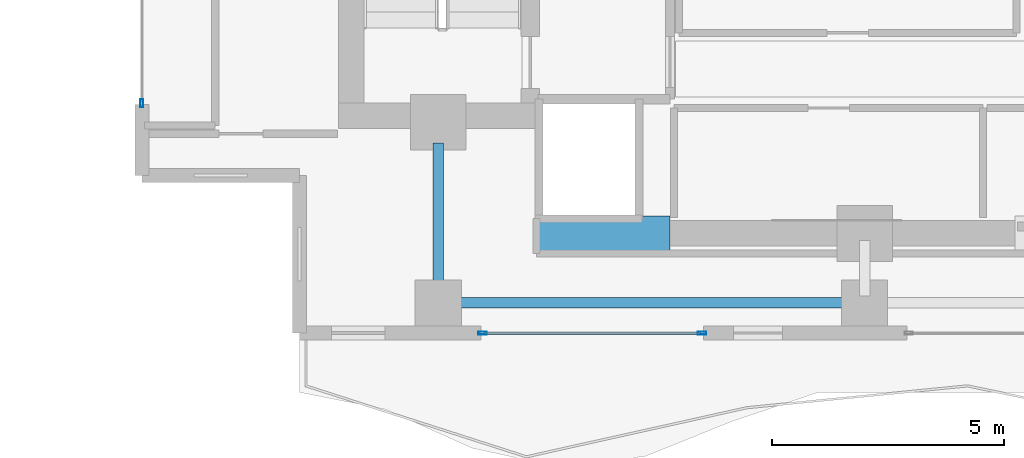
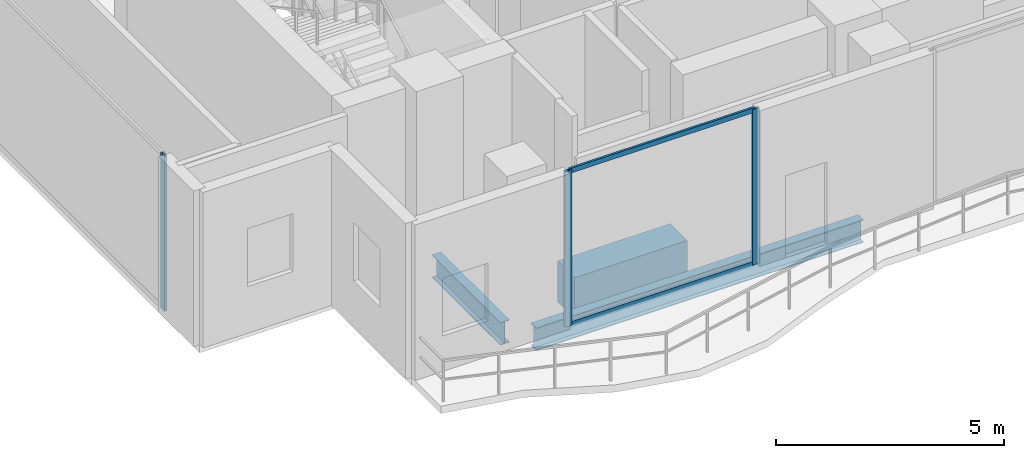
# One storey, part 2 of 24: 5 members, 3 beams, 2 elements without a shape of their own.
"""IFC4 building model written with IfcOpenShell, lengths in metres."""

from ifc_helpers import new_model, si_unit, direction, frame, origin, origin_2d, place, context, subcontext, project, spatial, rectangle, hollow_rectangle, i_section, extrude, material, layer, layer_set, material_profile, profile_set, type_object, element, aggregate, save


model = new_model("IFC4")

# Units and contexts
model_context = context("Model", 3, precision=1e-05, world=origin(), true_north=direction((0.0, 1.0)))
body_context = subcontext(model_context, "Body", "Model", "MODEL_VIEW")
ifc_project = project(units=[si_unit("LENGTHUNIT", "METRE"), si_unit("AREAUNIT", "SQUARE_METRE"), si_unit("VOLUMEUNIT", "CUBIC_METRE"), si_unit("PLANEANGLEUNIT", "RADIAN"), si_unit("MASSUNIT", "GRAM", prefix="KILO")], contexts=[model_context])

# Site, building, storey
site_placement = place(None, origin())
site = spatial("IfcSite", under=ifc_project, at=site_placement, CompositionType="ELEMENT")
building_placement = place(site_placement, origin())
building = spatial("IfcBuilding", under=site, at=building_placement, Name="Zuhayl Quay Hotel", CompositionType="ELEMENT")
storey_placement = place(building_placement, frame((0.0, 0.0, 292.85009765625)))
storey = spatial("IfcBuildingStorey", under=building, at=storey_placement, Name="L74", CompositionType="ELEMENT", Elevation=292.85009765625)

# Beams
ifc_material_1 = material(Name="Steel ASTM A992 Grade 50", Category="steel")
ifc_material_profile_1 = material_profile(ifc_material_1, i_section(OverallWidth=0.22802734375, OverallDepth=0.60693359375, WebThickness=0.01123046875, FlangeThickness=0.017333984375, at=origin_2d()), Name="W24X76")
ifc_profile_set_1 = profile_set([ifc_material_profile_1], Name="Steel ASTM A992 Grade 50")
beam_type_1 = type_object("IfcBeamType", Name="BM_B3_W24X76", PredefinedType="BEAM", material=ifc_profile_set_1)
beam_1_placement = place(storey_placement, frame((-13.340087890625, 0.64990234375, -0.523681640625), z_axis=(1.0, 0.0, 0.0), x_axis=(0.0, 1.0, 0.0)))
element("IfcBeam", 1, at=beam_1_placement, inside=storey, type_object=beam_type_1, Name="L74 Floor Beam RG_L74_01", PredefinedType="BEAM", context=body_context, shape_type="SweptSolid", body=[
    extrude(i_section(OverallWidth=0.22802734375, OverallDepth=0.60693359375, WebThickness=0.01123046875, FlangeThickness=0.017333984375, at=origin_2d()), origin(), (0.0, 0.0, 1.0), 8.280029296875),
])
beam_2_placement = place(storey_placement, frame((-13.800048828125, 1.110107421875, -0.523681640625), z_axis=(0.0, 1.0, 0.0), x_axis=(-1.0, 0.0, 0.0)))
element("IfcBeam", 2, at=beam_2_placement, inside=storey, type_object=beam_type_1, Name="L74 Floor Beam FG_S_L74_1", PredefinedType="BEAM", context=body_context, shape_type="SweptSolid", body=[
    extrude(i_section(OverallWidth=0.22802734375, OverallDepth=0.60693359375, WebThickness=0.01123046875, FlangeThickness=0.017333984375, at=origin_2d()), origin(), (0.0, 0.0, 1.0), 2.989990234375),
])
ifc_material_2 = material(Name="Concrete C60/75", Category="concrete")
ifc_material_profile_2 = material_profile(ifc_material_2, rectangle(XDim=0.75, YDim=1.10009765625, at=origin_2d()), Name="RC750X1100")
ifc_profile_set_2 = profile_set([ifc_material_profile_2], Name="Concrete C60/75")
beam_type_2 = type_object("IfcBeamType", Name="BM_CB2_RC750", PredefinedType="T_BEAM", material=ifc_profile_set_2)
beam_3_placement = place(storey_placement, frame((-11.64990234375, 2.14990234375, -0.77001953125), z_axis=(1.0, 0.0, 0.0), x_axis=(0.0, 1.0, 0.0)))
element("IfcBeam", 3, at=beam_3_placement, inside=storey, type_object=beam_type_2, Name="L74 Core Coupling Beam SW", PredefinedType="T_BEAM", context=body_context, shape_type="SweptSolid", body=[
    extrude(rectangle(XDim=0.75, YDim=1.10009765625, at=origin_2d()), origin(), (0.0, 0.0, 1.0), 2.849853515625),
])

# Curtain wall, member
ifc_material_3 = material(Name="Anodised Aluminium 6063-T6", Category="aluminium")
ifc_layer = layer(ifc_material_3, 0.169921875, Name="Anodised Aluminium 6063-T6", Category="aluminium")
ifc_layer_set = layer_set([ifc_layer], Name="Anodised Aluminium 6063-T6")
curtain_wall_type = type_object("IfcCurtainWallType", Name="CW_SYS_Z4", PredefinedType="USERDEFINED", material=ifc_layer_set)
curtain_wall_1_placement = place(storey_placement, origin())
curtain_wall_1 = element("IfcCurtainWall", 4, at=curtain_wall_1_placement, inside=storey, type_object=curtain_wall_type, Name="L74 Curtain Wall ENV_L74_E02_CW1", ObjectType="UNITISED CURTAIN WALL", PredefinedType="USERDEFINED")
ifc_material_4 = material(Name="Black-anodised aluminium 6063-T6", Category="aluminium")
ifc_material_profile_3 = material_profile(ifc_material_4, hollow_rectangle(XDim=0.06494140625, YDim=0.179931640625, WallThickness=0.00341796875, at=origin_2d()), Name="ALU180X65")
ifc_profile_set_3 = profile_set([ifc_material_profile_3], Name="Black-anodised aluminium 6063-T6")
member_type_1 = type_object("IfcMemberType", Name="MB_CW_MUL_180", PredefinedType="MULLION", material=ifc_profile_set_3)
member_1_placement = place(storey_placement, frame((-20.199951171875, 4.96240234375, 0.0), z_axis=(0.0, 0.0, 1.0), x_axis=(-1.0, 0.0, 0.0)))
member_1 = element("IfcMember", 5, at=member_1_placement, type_object=member_type_1, Name="CW-Z4 mullion 1", PredefinedType="MULLION", context=body_context, shape_type="SweptSolid", body=[
    extrude(hollow_rectangle(XDim=0.06494140625, YDim=0.179931640625, WallThickness=0.00341796875, at=origin_2d()), origin(), (0.0, 0.0, 1.0), 4.159912109375),
])
aggregate(curtain_wall_1, [member_1])

# Curtain wall, members
curtain_wall_2_placement = place(storey_placement, origin())
curtain_wall_2 = element("IfcCurtainWall", 6, at=curtain_wall_2_placement, inside=storey, type_object=curtain_wall_type, Name="L74 Curtain Wall ENV_L74_S_CW4", ObjectType="UNITISED CURTAIN WALL", PredefinedType="USERDEFINED")
member_2_placement = place(storey_placement, frame((-8.107421875, 0.0, 0.0), z_axis=(0.0, 0.0, 1.0), x_axis=(0.0, -1.0, 0.0)))
member_2 = element("IfcMember", 7, at=member_2_placement, type_object=member_type_1, Name="CW-Z4 mullion 1", PredefinedType="MULLION", context=body_context, shape_type="SweptSolid", body=[
    extrude(hollow_rectangle(XDim=0.06494140625, YDim=0.179931640625, WallThickness=0.00341796875, at=origin_2d()), origin(), (0.0, 0.0, 1.0), 4.159912109375),
])
member_3_placement = place(storey_placement, frame((-12.847412109375, 0.0, 0.0), z_axis=(0.0, 0.0, 1.0), x_axis=(0.0, -1.0, 0.0)))
member_3 = element("IfcMember", 8, at=member_3_placement, type_object=member_type_1, Name="CW-Z4 mullion 2", PredefinedType="MULLION", context=body_context, shape_type="SweptSolid", body=[
    extrude(hollow_rectangle(XDim=0.06494140625, YDim=0.179931640625, WallThickness=0.00341796875, at=origin_2d()), origin(), (0.0, 0.0, 1.0), 4.159912109375),
])
ifc_material_profile_4 = material_profile(ifc_material_4, hollow_rectangle(XDim=0.054931640625, YDim=0.1298828125, WallThickness=0.0029296875, at=origin_2d()), Name="ALU130X55")
ifc_profile_set_4 = profile_set([ifc_material_profile_4], Name="Black-anodised aluminium 6063-T6")
member_type_2 = type_object("IfcMemberType", Name="MB_CW_TRN_130", PredefinedType="USERDEFINED", material=ifc_profile_set_4)
member_4_placement = place(storey_placement, frame((-8.139892578125, 0.0, 0.02734375), z_axis=(-1.0, 0.0, 0.0), x_axis=(0.0, -1.0, 0.0)))
member_4 = element("IfcMember", 9, at=member_4_placement, type_object=member_type_2, Name="CW-Z4 transom 1.1", ObjectType="TRANSOM", PredefinedType="USERDEFINED", context=body_context, shape_type="SweptSolid", body=[
    extrude(hollow_rectangle(XDim=0.054931640625, YDim=0.1298828125, WallThickness=0.0029296875, at=origin_2d()), origin(), (0.0, 0.0, 1.0), 4.675048828125),
])
member_5_placement = place(storey_placement, frame((-8.139892578125, 0.0, 4.13232421875), z_axis=(-1.0, 0.0, 0.0), x_axis=(0.0, -1.0, 0.0)))
member_5 = element("IfcMember", 10, at=member_5_placement, type_object=member_type_2, Name="CW-Z4 transom 1.2", ObjectType="TRANSOM", PredefinedType="USERDEFINED", context=body_context, shape_type="SweptSolid", body=[
    extrude(hollow_rectangle(XDim=0.054931640625, YDim=0.1298828125, WallThickness=0.0029296875, at=origin_2d()), origin(), (0.0, 0.0, 1.0), 4.675048828125),
])
aggregate(curtain_wall_2, [member_2, member_3, member_4, member_5])

save(model, "model.ifc")
